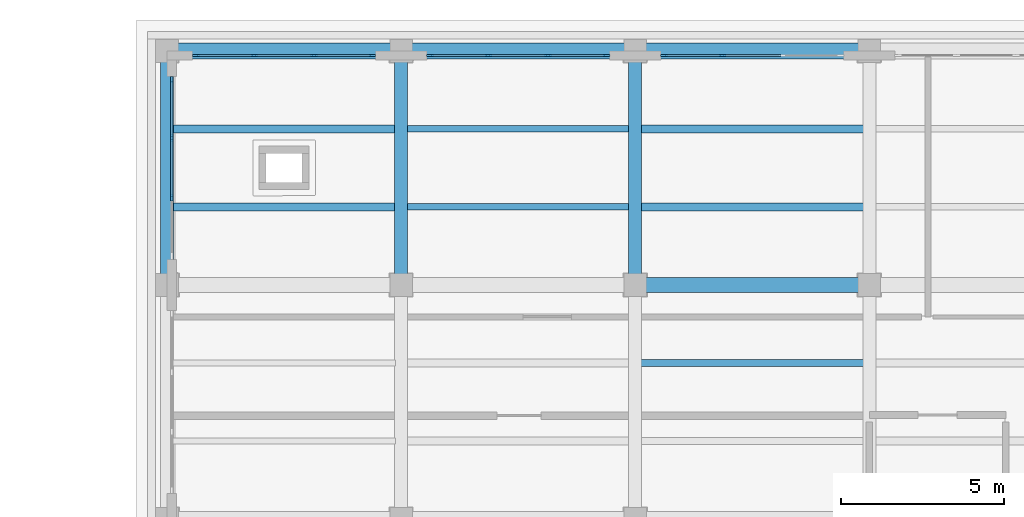
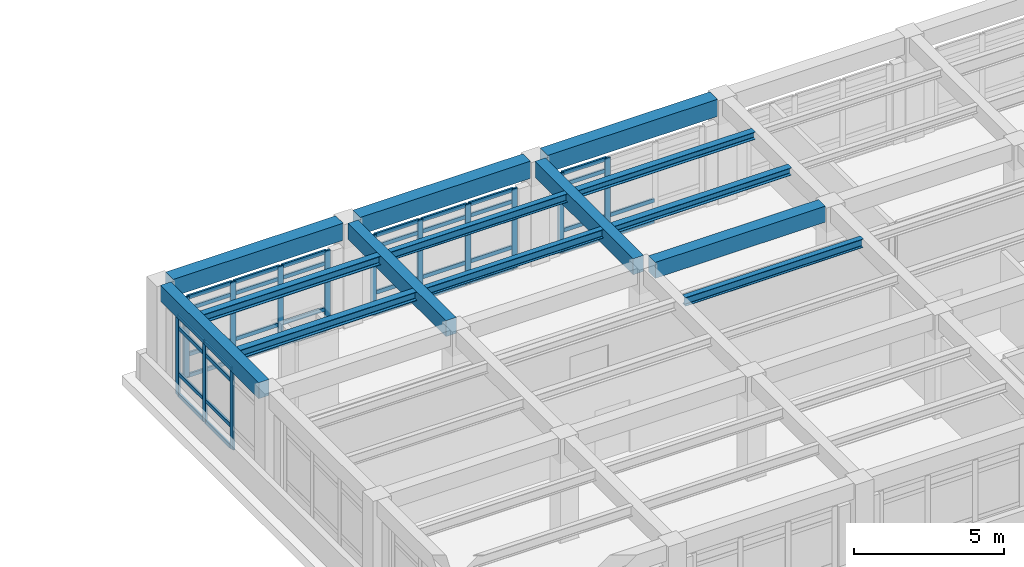
# One storey, part 23 of 64: 51 members, 14 beams, 4 elements without a shape of their own.
"""IFC4 building model written with IfcOpenShell, lengths in metres."""

from ifc_helpers import new_model, si_unit, direction, frame, origin, origin_2d, place, context, subcontext, project, spatial, rectangle, i_section, extrude, material, layer, layer_set, material_profile, profile_set, type_object, element, aggregate, save


model = new_model("IFC4")

# Units and contexts
model_context = context("Model", 3, precision=1e-05, world=origin(), true_north=direction((0.0, 1.0)))
body_context = subcontext(model_context, "Body", "Model", "MODEL_VIEW")
ifc_project = project(units=[si_unit("LENGTHUNIT", "METRE"), si_unit("AREAUNIT", "SQUARE_METRE"), si_unit("VOLUMEUNIT", "CUBIC_METRE"), si_unit("PLANEANGLEUNIT", "RADIAN"), si_unit("MASSUNIT", "GRAM", prefix="KILO")], contexts=[model_context])

# Site, building, storey
site_placement = place(None, origin())
site = spatial("IfcSite", under=ifc_project, at=site_placement, CompositionType="ELEMENT")
building_placement = place(site_placement, origin())
building = spatial("IfcBuilding", under=site, at=building_placement, Name="Solenvale Faculty of Natural Sciences", CompositionType="ELEMENT")
storey_placement = place(building_placement, frame((0.0, 0.0, 18.0)))
storey = spatial("IfcBuildingStorey", under=building, at=storey_placement, Name="L04", CompositionType="ELEMENT", Elevation=18.0)

# Beams
ifc_material_1 = material(Name="Concrete 40 MPa", Category="concrete")
ifc_material_profile_1 = material_profile(ifc_material_1, rectangle(XDim=0.39990234375, YDim=0.64990234375, at=origin_2d()), Name="RC-BM-400x650")
ifc_profile_set_1 = profile_set([ifc_material_profile_1], Name="Concrete 40 MPa")
beam_type_1 = type_object("IfcBeamType", Name="BM-RC-400x650", PredefinedType="BEAM", material=ifc_profile_set_1)
for number, where, z_axis, x_axis, name in (
    (1, (79.199951171875, 108.330078125, 3.89501953125), (0.0, 1.0, 0.0), (-1.0, 0.0, 0.0), "L04 Y-Girder X79.2 (108.0..115.2)"),
    (2, (86.39990234375, 108.330078125, 3.89501953125), (0.0, 1.0, 0.0), (-1.0, 0.0, 0.0), "L04 Y-Girder X86.4 (108.0..115.2)"),
    (3, (93.60009765625, 108.330078125, 3.89501953125), (0.0, 1.0, 0.0), (-1.0, 0.0, 0.0), "L04 Y-Girder X93.6 (108.0..115.2)"),
):
    element("IfcBeam", number, at=place(storey_placement, frame(where, z_axis=z_axis, x_axis=x_axis)), inside=storey, type_object=beam_type_1, Name=name, PredefinedType="BEAM", context=body_context, shape_type="SweptSolid", body=[
        extrude(rectangle(XDim=0.39990234375, YDim=0.64990234375, at=origin_2d()), origin(), (0.0, 0.0, 1.0), 6.5400390625),
    ])
ifc_material_profile_2 = material_profile(ifc_material_1, rectangle(XDim=0.449951171875, YDim=0.64990234375, at=origin_2d()), Name="RC-BM-450x650")
ifc_profile_set_2 = profile_set([ifc_material_profile_2], Name="Concrete 40 MPa")
beam_type_2 = type_object("IfcBeamType", Name="BM-RC-450x650", PredefinedType="BEAM", material=ifc_profile_set_2)
beam_1_placement = place(storey_placement, frame((93.929931640625, 108.0, 3.89501953125), z_axis=(1.0, 0.0, 0.0), x_axis=(0.0, 1.0, 0.0)))
element("IfcBeam", 4, at=beam_1_placement, inside=storey, type_object=beam_type_2, Name="L04 X-Girder Y108.0 (93.6..100.8)", PredefinedType="BEAM", context=body_context, shape_type="SweptSolid", body=[
    extrude(rectangle(XDim=0.449951171875, YDim=0.64990234375, at=origin_2d()), origin(), (0.0, 0.0, 1.0), 6.5400390625),
])
ifc_material_2 = material(Name="Precast concrete 40 MPa", Category="concrete")
ifc_material_profile_3 = material_profile(ifc_material_2, rectangle(XDim=0.5, YDim=0.699951171875, at=origin_2d()), Name="RC-BM-500x700")
ifc_profile_set_3 = profile_set([ifc_material_profile_3], Name="Precast concrete 40 MPa")
beam_type_3 = type_object("IfcBeamType", Name="BM-SPN-PRC-700", PredefinedType="SPANDREL", material=ifc_profile_set_3)
for number, where, z_axis, x_axis, name in (
    (5, (79.530029296875, 115.199951171875, 3.8701171875), (1.0, 0.0, 0.0), (0.0, 1.0, 0.0), "L04 X-Girder Y115.2 (79.2..86.4)"),
    (6, (86.72998046875, 115.199951171875, 3.8701171875), (1.0, 0.0, 0.0), (0.0, 1.0, 0.0), "L04 X-Girder Y115.2 (86.4..93.6)"),
    (7, (93.929931640625, 115.199951171875, 3.8701171875), (1.0, 0.0, 0.0), (0.0, 1.0, 0.0), "L04 X-Girder Y115.2 (93.6..100.8)"),
):
    element("IfcBeam", number, at=place(storey_placement, frame(where, z_axis=z_axis, x_axis=x_axis)), inside=storey, type_object=beam_type_3, Name=name, PredefinedType="SPANDREL", context=body_context, shape_type="SweptSolid", body=[
        extrude(rectangle(XDim=0.5, YDim=0.699951171875, at=origin_2d()), origin(), (0.0, 0.0, 1.0), 6.5400390625),
    ])
ifc_material_3 = material(Name="Steel S355", Category="steel")
ifc_material_profile_4 = material_profile(ifc_material_3, i_section(OverallWidth=0.25390625, OverallDepth=0.305908203125, WebThickness=0.0087890625, FlangeThickness=0.0146484375, FilletRadius=0.014892578125, at=origin_2d()), Name="W310x79")
ifc_profile_set_4 = profile_set([ifc_material_profile_4], Name="Steel S355")
beam_type_4 = type_object("IfcBeamType", Name="BM-STL-W310x79", PredefinedType="JOIST", material=ifc_profile_set_4)
for number, where, z_axis, x_axis, name in (
    (8, (93.780029296875, 110.39990234375, 4.06689453125), (1.0, 0.0, 0.0), (0.0, 1.0, 0.0), "L04 Composite Floor Joist (14,16).1"),
    (9, (93.780029296875, 112.800048828125, 4.06689453125), (1.0, 0.0, 0.0), (0.0, 1.0, 0.0), "L04 Composite Floor Joist (14,16).2"),
):
    element("IfcBeam", number, at=place(storey_placement, frame(where, z_axis=z_axis, x_axis=x_axis)), inside=storey, type_object=beam_type_4, Name=name, PredefinedType="JOIST", context=body_context, shape_type="SweptSolid", body=[
        extrude(i_section(OverallWidth=0.25390625, OverallDepth=0.305908203125, WebThickness=0.0087890625, FlangeThickness=0.0146484375, FilletRadius=0.014892578125, at=origin_2d()), origin(), (0.0, 0.0, 1.0), 6.840087890625),
    ])
ifc_material_profile_5 = material_profile(ifc_material_3, i_section(OverallWidth=0.2548828125, OverallDepth=0.35693359375, WebThickness=0.010498046875, FlangeThickness=0.018310546875, FilletRadius=0.014892578125, at=origin_2d()), Name="W360x101")
ifc_profile_set_5 = profile_set([ifc_material_profile_5], Name="Steel S355")
beam_type_5 = type_object("IfcBeamType", Name="BM-STL-W360x101", PredefinedType="JOIST", material=ifc_profile_set_5)
for number, where, z_axis, x_axis, name in (
    (10, (79.3798828125, 110.39990234375, 4.04150390625), (1.0, 0.0, 0.0), (0.0, 1.0, 0.0), "L04 Composite Floor Joist (12,16).1"),
    (11, (79.3798828125, 112.800048828125, 4.04150390625), (1.0, 0.0, 0.0), (0.0, 1.0, 0.0), "L04 Composite Floor Joist (12,16).2"),
):
    element("IfcBeam", number, at=place(storey_placement, frame(where, z_axis=z_axis, x_axis=x_axis)), inside=storey, type_object=beam_type_5, Name=name, PredefinedType="JOIST", context=body_context, shape_type="SweptSolid", body=[
        extrude(i_section(OverallWidth=0.2548828125, OverallDepth=0.35693359375, WebThickness=0.010498046875, FlangeThickness=0.018310546875, FilletRadius=0.014892578125, at=origin_2d()), origin(), (0.0, 0.0, 1.0), 6.840087890625),
    ])
ifc_material_profile_6 = material_profile(ifc_material_3, i_section(OverallWidth=0.2041015625, OverallDepth=0.35009765625, WebThickness=0.008544921875, FlangeThickness=0.01513671875, FilletRadius=0.014892578125, at=origin_2d()), Name="W360x72")
ifc_profile_set_6 = profile_set([ifc_material_profile_6], Name="Steel S355")
beam_type_6 = type_object("IfcBeamType", Name="BM-STL-W360x72", PredefinedType="JOIST", material=ifc_profile_set_6)
for number, where, z_axis, x_axis, name in (
    (12, (86.580078125, 110.39990234375, 4.044921875), (1.0, 0.0, 0.0), (0.0, 1.0, 0.0), "L04 Composite Floor Joist (13,16).1"),
    (13, (86.580078125, 112.800048828125, 4.044921875), (1.0, 0.0, 0.0), (0.0, 1.0, 0.0), "L04 Composite Floor Joist (13,16).2"),
):
    element("IfcBeam", number, at=place(storey_placement, frame(where, z_axis=z_axis, x_axis=x_axis)), inside=storey, type_object=beam_type_6, Name=name, PredefinedType="JOIST", context=body_context, shape_type="SweptSolid", body=[
        extrude(i_section(OverallWidth=0.2041015625, OverallDepth=0.35009765625, WebThickness=0.008544921875, FlangeThickness=0.01513671875, FilletRadius=0.014892578125, at=origin_2d()), origin(), (0.0, 0.0, 1.0), 6.83984375),
    ])
beam_2_placement = place(storey_placement, frame((93.780029296875, 105.60009765625, 4.044921875), z_axis=(1.0, 0.0, 0.0), x_axis=(0.0, 1.0, 0.0)))
element("IfcBeam", 14, at=beam_2_placement, inside=storey, type_object=beam_type_6, Name="L04 Composite Floor Joist (14,15).2", PredefinedType="JOIST", context=body_context, shape_type="SweptSolid", body=[
    extrude(i_section(OverallWidth=0.2041015625, OverallDepth=0.35009765625, WebThickness=0.008544921875, FlangeThickness=0.01513671875, FilletRadius=0.014892578125, at=origin_2d()), origin(), (0.0, 0.0, 1.0), 6.840087890625),
])

# Curtain wall, members
ifc_material_4 = material(Name="Anodised bronze aluminium", Category="aluminium")
ifc_layer = layer(ifc_material_4, 0.179931640625)
ifc_layer_set = layer_set([ifc_layer], Name="Anodised bronze aluminium")
curtain_wall_type = type_object("IfcCurtainWallType", Name="CW-TWR-MOD", PredefinedType="USERDEFINED", material=ifc_layer_set)
curtain_wall_1_placement = place(storey_placement, origin())
curtain_wall_1 = element("IfcCurtainWall", 15, at=curtain_wall_1_placement, inside=storey, type_object=curtain_wall_type, Name="L04 Curtain Wall CW-L04-P3-E4-B8", ObjectType="UNITISED CURTAIN WALL", PredefinedType="USERDEFINED")
ifc_material_profile_7 = material_profile(ifc_material_4, rectangle(XDim=0.074951171875, YDim=0.2099609375, at=origin_2d()), Name="ALU-MUL-75x210")
ifc_profile_set_7 = profile_set([ifc_material_profile_7], Name="Anodised bronze aluminium")
member_type_1 = type_object("IfcMemberType", Name="CWM-ALU-75x210", PredefinedType="MULLION", material=ifc_profile_set_7)
member_1_placement = place(storey_placement, frame((96.283447265625, 115.0576171875, 0.0), z_axis=(0.0, 0.0, 1.0), x_axis=(0.0, -1.0, 0.0)))
member_1 = element("IfcMember", 16, at=member_1_placement, type_object=member_type_1, Name="CW-04 mullion 3", PredefinedType="MULLION", context=body_context, shape_type="SweptSolid", body=[
    extrude(rectangle(XDim=0.074951171875, YDim=0.2099609375, at=origin_2d()), origin(), (0.0, 0.0, 1.0), 3.260009765625),
])
member_2_placement = place(storey_placement, frame((94.487548828125, 115.0576171875, 0.0), z_axis=(0.0, 0.0, 1.0), x_axis=(0.0, -1.0, 0.0)))
member_2 = element("IfcMember", 17, at=member_2_placement, type_object=member_type_1, Name="CW-04 mullion 4", PredefinedType="MULLION", context=body_context, shape_type="SweptSolid", body=[
    extrude(rectangle(XDim=0.074951171875, YDim=0.2099609375, at=origin_2d()), origin(), (0.0, 0.0, 1.0), 3.260009765625),
])

curtain_wall_2_placement = place(storey_placement, origin())
curtain_wall_2 = element("IfcCurtainWall", 18, at=curtain_wall_2_placement, inside=storey, type_object=curtain_wall_type, Name="L04 Curtain Wall CW-L04-P3-E4-B9", ObjectType="UNITISED CURTAIN WALL", PredefinedType="USERDEFINED")
member_3_placement = place(storey_placement, frame((92.71240234375, 115.0576171875, 0.0), z_axis=(0.0, 0.0, 1.0), x_axis=(0.0, -1.0, 0.0)))
member_3 = element("IfcMember", 19, at=member_3_placement, type_object=member_type_1, Name="CW-04 mullion 1", PredefinedType="MULLION", context=body_context, shape_type="SweptSolid", body=[
    extrude(rectangle(XDim=0.074951171875, YDim=0.2099609375, at=origin_2d()), origin(), (0.0, 0.0, 1.0), 3.260009765625),
])
member_4_placement = place(storey_placement, frame((90.916748046875, 115.0576171875, 0.0), z_axis=(0.0, 0.0, 1.0), x_axis=(0.0, -1.0, 0.0)))
member_4 = element("IfcMember", 20, at=member_4_placement, type_object=member_type_1, Name="CW-04 mullion 2", PredefinedType="MULLION", context=body_context, shape_type="SweptSolid", body=[
    extrude(rectangle(XDim=0.074951171875, YDim=0.2099609375, at=origin_2d()), origin(), (0.0, 0.0, 1.0), 3.260009765625),
])
member_5_placement = place(storey_placement, frame((89.083251953125, 115.0576171875, 0.0), z_axis=(0.0, 0.0, 1.0), x_axis=(0.0, -1.0, 0.0)))
member_5 = element("IfcMember", 21, at=member_5_placement, type_object=member_type_1, Name="CW-04 mullion 3", PredefinedType="MULLION", context=body_context, shape_type="SweptSolid", body=[
    extrude(rectangle(XDim=0.074951171875, YDim=0.2099609375, at=origin_2d()), origin(), (0.0, 0.0, 1.0), 3.260009765625),
])
member_6_placement = place(storey_placement, frame((87.28759765625, 115.0576171875, 0.0), z_axis=(0.0, 0.0, 1.0), x_axis=(0.0, -1.0, 0.0)))
member_6 = element("IfcMember", 22, at=member_6_placement, type_object=member_type_1, Name="CW-04 mullion 4", PredefinedType="MULLION", context=body_context, shape_type="SweptSolid", body=[
    extrude(rectangle(XDim=0.074951171875, YDim=0.2099609375, at=origin_2d()), origin(), (0.0, 0.0, 1.0), 3.260009765625),
])

curtain_wall_3_placement = place(storey_placement, origin())
curtain_wall_3 = element("IfcCurtainWall", 23, at=curtain_wall_3_placement, inside=storey, type_object=curtain_wall_type, Name="L04 Curtain Wall CW-L04-P3-E4-B10", ObjectType="UNITISED CURTAIN WALL", PredefinedType="USERDEFINED")
member_7_placement = place(storey_placement, frame((85.512451171875, 115.0576171875, 0.0), z_axis=(0.0, 0.0, 1.0), x_axis=(0.0, -1.0, 0.0)))
member_7 = element("IfcMember", 24, at=member_7_placement, type_object=member_type_1, Name="CW-04 mullion 1", PredefinedType="MULLION", context=body_context, shape_type="SweptSolid", body=[
    extrude(rectangle(XDim=0.074951171875, YDim=0.2099609375, at=origin_2d()), origin(), (0.0, 0.0, 1.0), 3.260009765625),
])
member_8_placement = place(storey_placement, frame((83.716552734375, 115.0576171875, 0.0), z_axis=(0.0, 0.0, 1.0), x_axis=(0.0, -1.0, 0.0)))
member_8 = element("IfcMember", 25, at=member_8_placement, type_object=member_type_1, Name="CW-04 mullion 2", PredefinedType="MULLION", context=body_context, shape_type="SweptSolid", body=[
    extrude(rectangle(XDim=0.074951171875, YDim=0.2099609375, at=origin_2d()), origin(), (0.0, 0.0, 1.0), 3.260009765625),
])
member_9_placement = place(storey_placement, frame((81.88330078125, 115.0576171875, 0.0), z_axis=(0.0, 0.0, 1.0), x_axis=(0.0, -1.0, 0.0)))
member_9 = element("IfcMember", 26, at=member_9_placement, type_object=member_type_1, Name="CW-04 mullion 3", PredefinedType="MULLION", context=body_context, shape_type="SweptSolid", body=[
    extrude(rectangle(XDim=0.074951171875, YDim=0.2099609375, at=origin_2d()), origin(), (0.0, 0.0, 1.0), 3.260009765625),
])
member_10_placement = place(storey_placement, frame((80.08740234375, 115.0576171875, 0.0), z_axis=(0.0, 0.0, 1.0), x_axis=(0.0, -1.0, 0.0)))
member_10 = element("IfcMember", 27, at=member_10_placement, type_object=member_type_1, Name="CW-04 mullion 4", PredefinedType="MULLION", context=body_context, shape_type="SweptSolid", body=[
    extrude(rectangle(XDim=0.074951171875, YDim=0.2099609375, at=origin_2d()), origin(), (0.0, 0.0, 1.0), 3.260009765625),
])

curtain_wall_4_placement = place(storey_placement, origin())
curtain_wall_4 = element("IfcCurtainWall", 28, at=curtain_wall_4_placement, inside=storey, type_object=curtain_wall_type, Name="L04 Curtain Wall CW-L04-P3-E5-B1", ObjectType="UNITISED CURTAIN WALL", PredefinedType="USERDEFINED")
member_11_placement = place(storey_placement, frame((79.342529296875, 114.3125, 0.0), z_axis=(0.0, 0.0, 1.0), x_axis=(1.0, 0.0, 0.0)))
member_11 = element("IfcMember", 29, at=member_11_placement, type_object=member_type_1, Name="CW-04 mullion 1", PredefinedType="MULLION", context=body_context, shape_type="SweptSolid", body=[
    extrude(rectangle(XDim=0.074951171875, YDim=0.2099609375, at=origin_2d()), origin(), (0.0, 0.0, 1.0), 3.260009765625),
])
member_12_placement = place(storey_placement, frame((79.342529296875, 112.5166015625, 0.0), z_axis=(0.0, 0.0, 1.0), x_axis=(1.0, 0.0, 0.0)))
member_12 = element("IfcMember", 30, at=member_12_placement, type_object=member_type_1, Name="CW-04 mullion 2", PredefinedType="MULLION", context=body_context, shape_type="SweptSolid", body=[
    extrude(rectangle(XDim=0.074951171875, YDim=0.2099609375, at=origin_2d()), origin(), (0.0, 0.0, 1.0), 3.260009765625),
])
member_13_placement = place(storey_placement, frame((79.342529296875, 110.683349609375, 0.0), z_axis=(0.0, 0.0, 1.0), x_axis=(1.0, 0.0, 0.0)))
member_13 = element("IfcMember", 31, at=member_13_placement, type_object=member_type_1, Name="CW-04 mullion 3", PredefinedType="MULLION", context=body_context, shape_type="SweptSolid", body=[
    extrude(rectangle(XDim=0.074951171875, YDim=0.2099609375, at=origin_2d()), origin(), (0.0, 0.0, 1.0), 3.260009765625),
])

# Member
ifc_material_profile_8 = material_profile(ifc_material_4, rectangle(XDim=0.074951171875, YDim=0.155029296875, at=origin_2d()), Name="ALU-TRN-75x155")
ifc_profile_set_8 = profile_set([ifc_material_profile_8], Name="Anodised bronze aluminium")
member_type_2 = type_object("IfcMemberType", Name="CWT-ALU-75x155", PredefinedType="USERDEFINED", material=ifc_profile_set_8)
member_14_placement = place(storey_placement, frame((98.0791015625, 115.0576171875, 0.03759765625), z_axis=(-1.0, 0.0, 0.0), x_axis=(0.0, -1.0, 0.0)))
member_14 = element("IfcMember", 32, at=member_14_placement, type_object=member_type_2, Name="CW-04 transom 2.1", ObjectType="TRANSOM", PredefinedType="USERDEFINED", context=body_context, shape_type="SweptSolid", body=[
    extrude(rectangle(XDim=0.074951171875, YDim=0.155029296875, at=origin_2d()), origin(), (0.0, 0.0, 1.0), 1.75830078125),
])

member_15_placement = place(storey_placement, frame((98.0791015625, 115.0576171875, 0.89990234375), z_axis=(-1.0, 0.0, 0.0), x_axis=(0.0, -1.0, 0.0)))
member_15 = element("IfcMember", 33, at=member_15_placement, type_object=member_type_2, Name="CW-04 transom 2.2", ObjectType="TRANSOM", PredefinedType="USERDEFINED", context=body_context, shape_type="SweptSolid", body=[
    extrude(rectangle(XDim=0.074951171875, YDim=0.155029296875, at=origin_2d()), origin(), (0.0, 0.0, 1.0), 1.75830078125),
])

member_16_placement = place(storey_placement, frame((96.245849609375, 115.0576171875, 0.03759765625), z_axis=(-1.0, 0.0, 0.0), x_axis=(0.0, -1.0, 0.0)))
member_16 = element("IfcMember", 34, at=member_16_placement, type_object=member_type_2, Name="CW-04 transom 3.1", ObjectType="TRANSOM", PredefinedType="USERDEFINED", context=body_context, shape_type="SweptSolid", body=[
    extrude(rectangle(XDim=0.074951171875, YDim=0.155029296875, at=origin_2d()), origin(), (0.0, 0.0, 1.0), 1.720947265625),
])

member_17_placement = place(storey_placement, frame((96.245849609375, 115.0576171875, 0.89990234375), z_axis=(-1.0, 0.0, 0.0), x_axis=(0.0, -1.0, 0.0)))
member_17 = element("IfcMember", 35, at=member_17_placement, type_object=member_type_2, Name="CW-04 transom 3.2", ObjectType="TRANSOM", PredefinedType="USERDEFINED", context=body_context, shape_type="SweptSolid", body=[
    extrude(rectangle(XDim=0.074951171875, YDim=0.155029296875, at=origin_2d()), origin(), (0.0, 0.0, 1.0), 1.720947265625),
])

member_18_placement = place(storey_placement, frame((96.245849609375, 115.0576171875, 2.760009765625), z_axis=(-1.0, 0.0, 0.0), x_axis=(0.0, -1.0, 0.0)))
member_18 = element("IfcMember", 36, at=member_18_placement, type_object=member_type_2, Name="CW-04 transom 3.3", ObjectType="TRANSOM", PredefinedType="USERDEFINED", context=body_context, shape_type="SweptSolid", body=[
    extrude(rectangle(XDim=0.074951171875, YDim=0.155029296875, at=origin_2d()), origin(), (0.0, 0.0, 1.0), 1.720947265625),
])

member_19_placement = place(storey_placement, frame((96.245849609375, 115.0576171875, 3.222412109375), z_axis=(-1.0, 0.0, 0.0), x_axis=(0.0, -1.0, 0.0)))
member_19 = element("IfcMember", 37, at=member_19_placement, type_object=member_type_2, Name="CW-04 transom 3.4", ObjectType="TRANSOM", PredefinedType="USERDEFINED", context=body_context, shape_type="SweptSolid", body=[
    extrude(rectangle(XDim=0.074951171875, YDim=0.155029296875, at=origin_2d()), origin(), (0.0, 0.0, 1.0), 1.720947265625),
])

aggregate(curtain_wall_1, [member_1, member_2, member_14, member_15, member_16, member_17, member_18, member_19])

member_20_placement = place(storey_placement, frame((92.675048828125, 115.0576171875, 0.03759765625), z_axis=(-1.0, 0.0, 0.0), x_axis=(0.0, -1.0, 0.0)))
member_20 = element("IfcMember", 38, at=member_20_placement, type_object=member_type_2, Name="CW-04 transom 1.1", ObjectType="TRANSOM", PredefinedType="USERDEFINED", context=body_context, shape_type="SweptSolid", body=[
    extrude(rectangle(XDim=0.074951171875, YDim=0.155029296875, at=origin_2d()), origin(), (0.0, 0.0, 1.0), 1.720947265625),
])

member_21_placement = place(storey_placement, frame((92.675048828125, 115.0576171875, 0.89990234375), z_axis=(-1.0, 0.0, 0.0), x_axis=(0.0, -1.0, 0.0)))
member_21 = element("IfcMember", 39, at=member_21_placement, type_object=member_type_2, Name="CW-04 transom 1.2", ObjectType="TRANSOM", PredefinedType="USERDEFINED", context=body_context, shape_type="SweptSolid", body=[
    extrude(rectangle(XDim=0.074951171875, YDim=0.155029296875, at=origin_2d()), origin(), (0.0, 0.0, 1.0), 1.720947265625),
])

member_22_placement = place(storey_placement, frame((92.675048828125, 115.0576171875, 2.760009765625), z_axis=(-1.0, 0.0, 0.0), x_axis=(0.0, -1.0, 0.0)))
member_22 = element("IfcMember", 40, at=member_22_placement, type_object=member_type_2, Name="CW-04 transom 1.3", ObjectType="TRANSOM", PredefinedType="USERDEFINED", context=body_context, shape_type="SweptSolid", body=[
    extrude(rectangle(XDim=0.074951171875, YDim=0.155029296875, at=origin_2d()), origin(), (0.0, 0.0, 1.0), 1.720947265625),
])

member_23_placement = place(storey_placement, frame((92.675048828125, 115.0576171875, 3.222412109375), z_axis=(-1.0, 0.0, 0.0), x_axis=(0.0, -1.0, 0.0)))
member_23 = element("IfcMember", 41, at=member_23_placement, type_object=member_type_2, Name="CW-04 transom 1.4", ObjectType="TRANSOM", PredefinedType="USERDEFINED", context=body_context, shape_type="SweptSolid", body=[
    extrude(rectangle(XDim=0.074951171875, YDim=0.155029296875, at=origin_2d()), origin(), (0.0, 0.0, 1.0), 1.720947265625),
])

member_24_placement = place(storey_placement, frame((90.879150390625, 115.0576171875, 0.03759765625), z_axis=(-1.0, 0.0, 0.0), x_axis=(0.0, -1.0, 0.0)))
member_24 = element("IfcMember", 42, at=member_24_placement, type_object=member_type_2, Name="CW-04 transom 2.1", ObjectType="TRANSOM", PredefinedType="USERDEFINED", context=body_context, shape_type="SweptSolid", body=[
    extrude(rectangle(XDim=0.074951171875, YDim=0.155029296875, at=origin_2d()), origin(), (0.0, 0.0, 1.0), 1.75830078125),
])

member_25_placement = place(storey_placement, frame((90.879150390625, 115.0576171875, 0.89990234375), z_axis=(-1.0, 0.0, 0.0), x_axis=(0.0, -1.0, 0.0)))
member_25 = element("IfcMember", 43, at=member_25_placement, type_object=member_type_2, Name="CW-04 transom 2.2", ObjectType="TRANSOM", PredefinedType="USERDEFINED", context=body_context, shape_type="SweptSolid", body=[
    extrude(rectangle(XDim=0.074951171875, YDim=0.155029296875, at=origin_2d()), origin(), (0.0, 0.0, 1.0), 1.75830078125),
])

member_26_placement = place(storey_placement, frame((90.879150390625, 115.0576171875, 2.760009765625), z_axis=(-1.0, 0.0, 0.0), x_axis=(0.0, -1.0, 0.0)))
member_26 = element("IfcMember", 44, at=member_26_placement, type_object=member_type_2, Name="CW-04 transom 2.3", ObjectType="TRANSOM", PredefinedType="USERDEFINED", context=body_context, shape_type="SweptSolid", body=[
    extrude(rectangle(XDim=0.074951171875, YDim=0.155029296875, at=origin_2d()), origin(), (0.0, 0.0, 1.0), 1.75830078125),
])

member_27_placement = place(storey_placement, frame((90.879150390625, 115.0576171875, 3.222412109375), z_axis=(-1.0, 0.0, 0.0), x_axis=(0.0, -1.0, 0.0)))
member_27 = element("IfcMember", 45, at=member_27_placement, type_object=member_type_2, Name="CW-04 transom 2.4", ObjectType="TRANSOM", PredefinedType="USERDEFINED", context=body_context, shape_type="SweptSolid", body=[
    extrude(rectangle(XDim=0.074951171875, YDim=0.155029296875, at=origin_2d()), origin(), (0.0, 0.0, 1.0), 1.75830078125),
])

member_28_placement = place(storey_placement, frame((89.0458984375, 115.0576171875, 0.03759765625), z_axis=(-1.0, 0.0, 0.0), x_axis=(0.0, -1.0, 0.0)))
member_28 = element("IfcMember", 46, at=member_28_placement, type_object=member_type_2, Name="CW-04 transom 3.1", ObjectType="TRANSOM", PredefinedType="USERDEFINED", context=body_context, shape_type="SweptSolid", body=[
    extrude(rectangle(XDim=0.074951171875, YDim=0.155029296875, at=origin_2d()), origin(), (0.0, 0.0, 1.0), 1.720947265625),
])

member_29_placement = place(storey_placement, frame((89.0458984375, 115.0576171875, 0.89990234375), z_axis=(-1.0, 0.0, 0.0), x_axis=(0.0, -1.0, 0.0)))
member_29 = element("IfcMember", 47, at=member_29_placement, type_object=member_type_2, Name="CW-04 transom 3.2", ObjectType="TRANSOM", PredefinedType="USERDEFINED", context=body_context, shape_type="SweptSolid", body=[
    extrude(rectangle(XDim=0.074951171875, YDim=0.155029296875, at=origin_2d()), origin(), (0.0, 0.0, 1.0), 1.720947265625),
])

member_30_placement = place(storey_placement, frame((89.0458984375, 115.0576171875, 2.760009765625), z_axis=(-1.0, 0.0, 0.0), x_axis=(0.0, -1.0, 0.0)))
member_30 = element("IfcMember", 48, at=member_30_placement, type_object=member_type_2, Name="CW-04 transom 3.3", ObjectType="TRANSOM", PredefinedType="USERDEFINED", context=body_context, shape_type="SweptSolid", body=[
    extrude(rectangle(XDim=0.074951171875, YDim=0.155029296875, at=origin_2d()), origin(), (0.0, 0.0, 1.0), 1.720947265625),
])

member_31_placement = place(storey_placement, frame((89.0458984375, 115.0576171875, 3.222412109375), z_axis=(-1.0, 0.0, 0.0), x_axis=(0.0, -1.0, 0.0)))
member_31 = element("IfcMember", 49, at=member_31_placement, type_object=member_type_2, Name="CW-04 transom 3.4", ObjectType="TRANSOM", PredefinedType="USERDEFINED", context=body_context, shape_type="SweptSolid", body=[
    extrude(rectangle(XDim=0.074951171875, YDim=0.155029296875, at=origin_2d()), origin(), (0.0, 0.0, 1.0), 1.720947265625),
])

aggregate(curtain_wall_2, [member_3, member_4, member_5, member_6, member_20, member_21, member_22, member_23, member_24, member_25, member_26, member_27, member_28, member_29, member_30, member_31])

member_32_placement = place(storey_placement, frame((85.47509765625, 115.0576171875, 0.03759765625), z_axis=(-1.0, 0.0, 0.0), x_axis=(0.0, -1.0, 0.0)))
member_32 = element("IfcMember", 50, at=member_32_placement, type_object=member_type_2, Name="CW-04 transom 1.1", ObjectType="TRANSOM", PredefinedType="USERDEFINED", context=body_context, shape_type="SweptSolid", body=[
    extrude(rectangle(XDim=0.074951171875, YDim=0.155029296875, at=origin_2d()), origin(), (0.0, 0.0, 1.0), 1.720947265625),
])

member_33_placement = place(storey_placement, frame((85.47509765625, 115.0576171875, 0.89990234375), z_axis=(-1.0, 0.0, 0.0), x_axis=(0.0, -1.0, 0.0)))
member_33 = element("IfcMember", 51, at=member_33_placement, type_object=member_type_2, Name="CW-04 transom 1.2", ObjectType="TRANSOM", PredefinedType="USERDEFINED", context=body_context, shape_type="SweptSolid", body=[
    extrude(rectangle(XDim=0.074951171875, YDim=0.155029296875, at=origin_2d()), origin(), (0.0, 0.0, 1.0), 1.720947265625),
])

member_34_placement = place(storey_placement, frame((85.47509765625, 115.0576171875, 2.760009765625), z_axis=(-1.0, 0.0, 0.0), x_axis=(0.0, -1.0, 0.0)))
member_34 = element("IfcMember", 52, at=member_34_placement, type_object=member_type_2, Name="CW-04 transom 1.3", ObjectType="TRANSOM", PredefinedType="USERDEFINED", context=body_context, shape_type="SweptSolid", body=[
    extrude(rectangle(XDim=0.074951171875, YDim=0.155029296875, at=origin_2d()), origin(), (0.0, 0.0, 1.0), 1.720947265625),
])

member_35_placement = place(storey_placement, frame((85.47509765625, 115.0576171875, 3.222412109375), z_axis=(-1.0, 0.0, 0.0), x_axis=(0.0, -1.0, 0.0)))
member_35 = element("IfcMember", 53, at=member_35_placement, type_object=member_type_2, Name="CW-04 transom 1.4", ObjectType="TRANSOM", PredefinedType="USERDEFINED", context=body_context, shape_type="SweptSolid", body=[
    extrude(rectangle(XDim=0.074951171875, YDim=0.155029296875, at=origin_2d()), origin(), (0.0, 0.0, 1.0), 1.720947265625),
])

member_36_placement = place(storey_placement, frame((83.67919921875, 115.0576171875, 0.03759765625), z_axis=(-1.0, 0.0, 0.0), x_axis=(0.0, -1.0, 0.0)))
member_36 = element("IfcMember", 54, at=member_36_placement, type_object=member_type_2, Name="CW-04 transom 2.1", ObjectType="TRANSOM", PredefinedType="USERDEFINED", context=body_context, shape_type="SweptSolid", body=[
    extrude(rectangle(XDim=0.074951171875, YDim=0.155029296875, at=origin_2d()), origin(), (0.0, 0.0, 1.0), 1.75830078125),
])

member_37_placement = place(storey_placement, frame((83.67919921875, 115.0576171875, 0.89990234375), z_axis=(-1.0, 0.0, 0.0), x_axis=(0.0, -1.0, 0.0)))
member_37 = element("IfcMember", 55, at=member_37_placement, type_object=member_type_2, Name="CW-04 transom 2.2", ObjectType="TRANSOM", PredefinedType="USERDEFINED", context=body_context, shape_type="SweptSolid", body=[
    extrude(rectangle(XDim=0.074951171875, YDim=0.155029296875, at=origin_2d()), origin(), (0.0, 0.0, 1.0), 1.75830078125),
])

member_38_placement = place(storey_placement, frame((83.67919921875, 115.0576171875, 2.760009765625), z_axis=(-1.0, 0.0, 0.0), x_axis=(0.0, -1.0, 0.0)))
member_38 = element("IfcMember", 56, at=member_38_placement, type_object=member_type_2, Name="CW-04 transom 2.3", ObjectType="TRANSOM", PredefinedType="USERDEFINED", context=body_context, shape_type="SweptSolid", body=[
    extrude(rectangle(XDim=0.074951171875, YDim=0.155029296875, at=origin_2d()), origin(), (0.0, 0.0, 1.0), 1.75830078125),
])

member_39_placement = place(storey_placement, frame((83.67919921875, 115.0576171875, 3.222412109375), z_axis=(-1.0, 0.0, 0.0), x_axis=(0.0, -1.0, 0.0)))
member_39 = element("IfcMember", 57, at=member_39_placement, type_object=member_type_2, Name="CW-04 transom 2.4", ObjectType="TRANSOM", PredefinedType="USERDEFINED", context=body_context, shape_type="SweptSolid", body=[
    extrude(rectangle(XDim=0.074951171875, YDim=0.155029296875, at=origin_2d()), origin(), (0.0, 0.0, 1.0), 1.75830078125),
])

member_40_placement = place(storey_placement, frame((81.845947265625, 115.0576171875, 0.03759765625), z_axis=(-1.0, 0.0, 0.0), x_axis=(0.0, -1.0, 0.0)))
member_40 = element("IfcMember", 58, at=member_40_placement, type_object=member_type_2, Name="CW-04 transom 3.1", ObjectType="TRANSOM", PredefinedType="USERDEFINED", context=body_context, shape_type="SweptSolid", body=[
    extrude(rectangle(XDim=0.074951171875, YDim=0.155029296875, at=origin_2d()), origin(), (0.0, 0.0, 1.0), 1.720947265625),
])

member_41_placement = place(storey_placement, frame((81.845947265625, 115.0576171875, 0.89990234375), z_axis=(-1.0, 0.0, 0.0), x_axis=(0.0, -1.0, 0.0)))
member_41 = element("IfcMember", 59, at=member_41_placement, type_object=member_type_2, Name="CW-04 transom 3.2", ObjectType="TRANSOM", PredefinedType="USERDEFINED", context=body_context, shape_type="SweptSolid", body=[
    extrude(rectangle(XDim=0.074951171875, YDim=0.155029296875, at=origin_2d()), origin(), (0.0, 0.0, 1.0), 1.720947265625),
])

member_42_placement = place(storey_placement, frame((81.845947265625, 115.0576171875, 2.760009765625), z_axis=(-1.0, 0.0, 0.0), x_axis=(0.0, -1.0, 0.0)))
member_42 = element("IfcMember", 60, at=member_42_placement, type_object=member_type_2, Name="CW-04 transom 3.3", ObjectType="TRANSOM", PredefinedType="USERDEFINED", context=body_context, shape_type="SweptSolid", body=[
    extrude(rectangle(XDim=0.074951171875, YDim=0.155029296875, at=origin_2d()), origin(), (0.0, 0.0, 1.0), 1.720947265625),
])

member_43_placement = place(storey_placement, frame((81.845947265625, 115.0576171875, 3.222412109375), z_axis=(-1.0, 0.0, 0.0), x_axis=(0.0, -1.0, 0.0)))
member_43 = element("IfcMember", 61, at=member_43_placement, type_object=member_type_2, Name="CW-04 transom 3.4", ObjectType="TRANSOM", PredefinedType="USERDEFINED", context=body_context, shape_type="SweptSolid", body=[
    extrude(rectangle(XDim=0.074951171875, YDim=0.155029296875, at=origin_2d()), origin(), (0.0, 0.0, 1.0), 1.720947265625),
])

aggregate(curtain_wall_3, [member_7, member_8, member_9, member_10, member_32, member_33, member_34, member_35, member_36, member_37, member_38, member_39, member_40, member_41, member_42, member_43])

member_44_placement = place(storey_placement, frame((79.342529296875, 114.27490234375, 0.03759765625), z_axis=(0.0, -1.0, 0.0), x_axis=(1.0, 0.0, 0.0)))
member_44 = element("IfcMember", 62, at=member_44_placement, type_object=member_type_2, Name="CW-04 transom 1.1", ObjectType="TRANSOM", PredefinedType="USERDEFINED", context=body_context, shape_type="SweptSolid", body=[
    extrude(rectangle(XDim=0.074951171875, YDim=0.155029296875, at=origin_2d()), origin(), (0.0, 0.0, 1.0), 1.720703125),
])

member_45_placement = place(storey_placement, frame((79.342529296875, 114.27490234375, 0.89990234375), z_axis=(0.0, -1.0, 0.0), x_axis=(1.0, 0.0, 0.0)))
member_45 = element("IfcMember", 63, at=member_45_placement, type_object=member_type_2, Name="CW-04 transom 1.2", ObjectType="TRANSOM", PredefinedType="USERDEFINED", context=body_context, shape_type="SweptSolid", body=[
    extrude(rectangle(XDim=0.074951171875, YDim=0.155029296875, at=origin_2d()), origin(), (0.0, 0.0, 1.0), 1.720703125),
])

member_46_placement = place(storey_placement, frame((79.342529296875, 114.27490234375, 2.760009765625), z_axis=(0.0, -1.0, 0.0), x_axis=(1.0, 0.0, 0.0)))
member_46 = element("IfcMember", 64, at=member_46_placement, type_object=member_type_2, Name="CW-04 transom 1.3", ObjectType="TRANSOM", PredefinedType="USERDEFINED", context=body_context, shape_type="SweptSolid", body=[
    extrude(rectangle(XDim=0.074951171875, YDim=0.155029296875, at=origin_2d()), origin(), (0.0, 0.0, 1.0), 1.720703125),
])

member_47_placement = place(storey_placement, frame((79.342529296875, 114.27490234375, 3.222412109375), z_axis=(0.0, -1.0, 0.0), x_axis=(1.0, 0.0, 0.0)))
member_47 = element("IfcMember", 65, at=member_47_placement, type_object=member_type_2, Name="CW-04 transom 1.4", ObjectType="TRANSOM", PredefinedType="USERDEFINED", context=body_context, shape_type="SweptSolid", body=[
    extrude(rectangle(XDim=0.074951171875, YDim=0.155029296875, at=origin_2d()), origin(), (0.0, 0.0, 1.0), 1.720703125),
])

member_48_placement = place(storey_placement, frame((79.342529296875, 112.479248046875, 0.03759765625), z_axis=(0.0, -1.0, 0.0), x_axis=(1.0, 0.0, 0.0)))
member_48 = element("IfcMember", 66, at=member_48_placement, type_object=member_type_2, Name="CW-04 transom 2.1", ObjectType="TRANSOM", PredefinedType="USERDEFINED", context=body_context, shape_type="SweptSolid", body=[
    extrude(rectangle(XDim=0.074951171875, YDim=0.155029296875, at=origin_2d()), origin(), (0.0, 0.0, 1.0), 1.75830078125),
])

member_49_placement = place(storey_placement, frame((79.342529296875, 112.479248046875, 0.89990234375), z_axis=(0.0, -1.0, 0.0), x_axis=(1.0, 0.0, 0.0)))
member_49 = element("IfcMember", 67, at=member_49_placement, type_object=member_type_2, Name="CW-04 transom 2.2", ObjectType="TRANSOM", PredefinedType="USERDEFINED", context=body_context, shape_type="SweptSolid", body=[
    extrude(rectangle(XDim=0.074951171875, YDim=0.155029296875, at=origin_2d()), origin(), (0.0, 0.0, 1.0), 1.75830078125),
])

member_50_placement = place(storey_placement, frame((79.342529296875, 112.479248046875, 2.760009765625), z_axis=(0.0, -1.0, 0.0), x_axis=(1.0, 0.0, 0.0)))
member_50 = element("IfcMember", 68, at=member_50_placement, type_object=member_type_2, Name="CW-04 transom 2.3", ObjectType="TRANSOM", PredefinedType="USERDEFINED", context=body_context, shape_type="SweptSolid", body=[
    extrude(rectangle(XDim=0.074951171875, YDim=0.155029296875, at=origin_2d()), origin(), (0.0, 0.0, 1.0), 1.75830078125),
])

member_51_placement = place(storey_placement, frame((79.342529296875, 112.479248046875, 3.222412109375), z_axis=(0.0, -1.0, 0.0), x_axis=(1.0, 0.0, 0.0)))
member_51 = element("IfcMember", 69, at=member_51_placement, type_object=member_type_2, Name="CW-04 transom 2.4", ObjectType="TRANSOM", PredefinedType="USERDEFINED", context=body_context, shape_type="SweptSolid", body=[
    extrude(rectangle(XDim=0.074951171875, YDim=0.155029296875, at=origin_2d()), origin(), (0.0, 0.0, 1.0), 1.75830078125),
])

aggregate(curtain_wall_4, [member_11, member_12, member_13, member_44, member_45, member_46, member_47, member_48, member_49, member_50, member_51])

save(model, "model.ifc")
